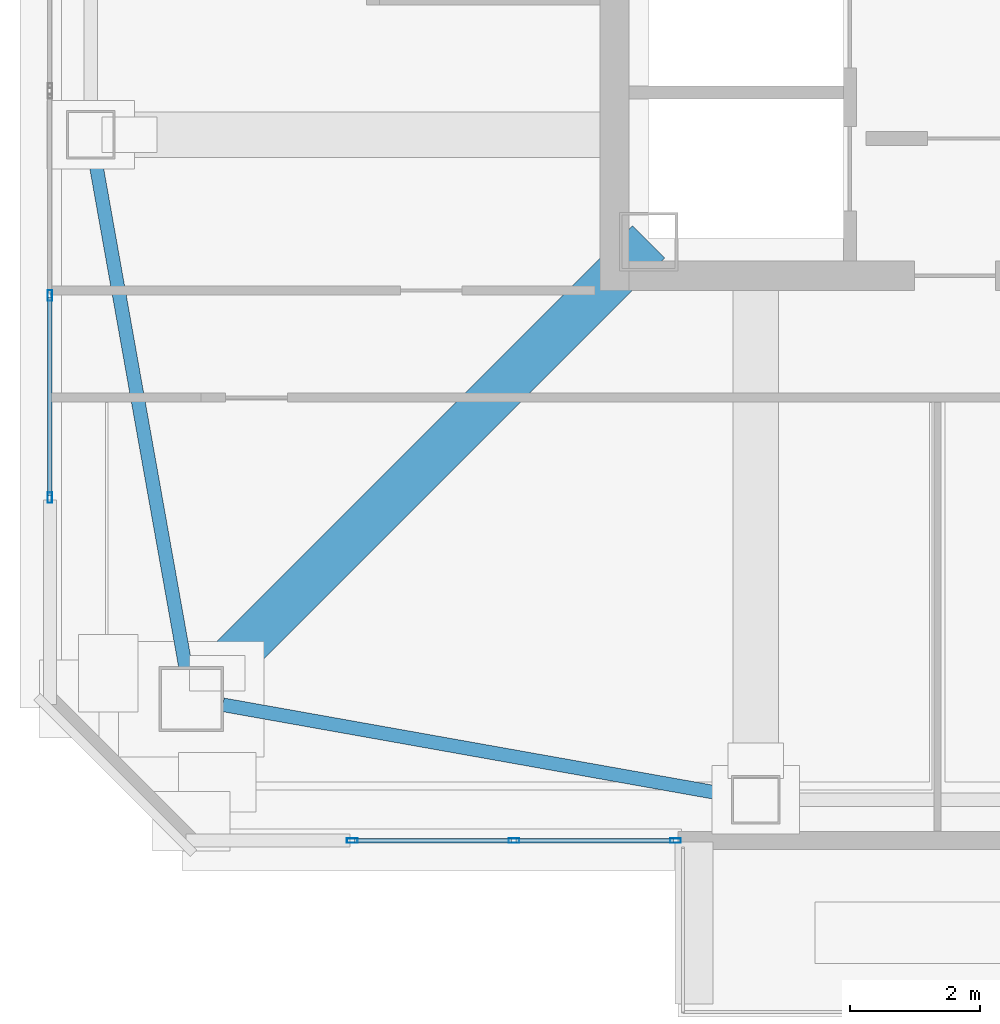
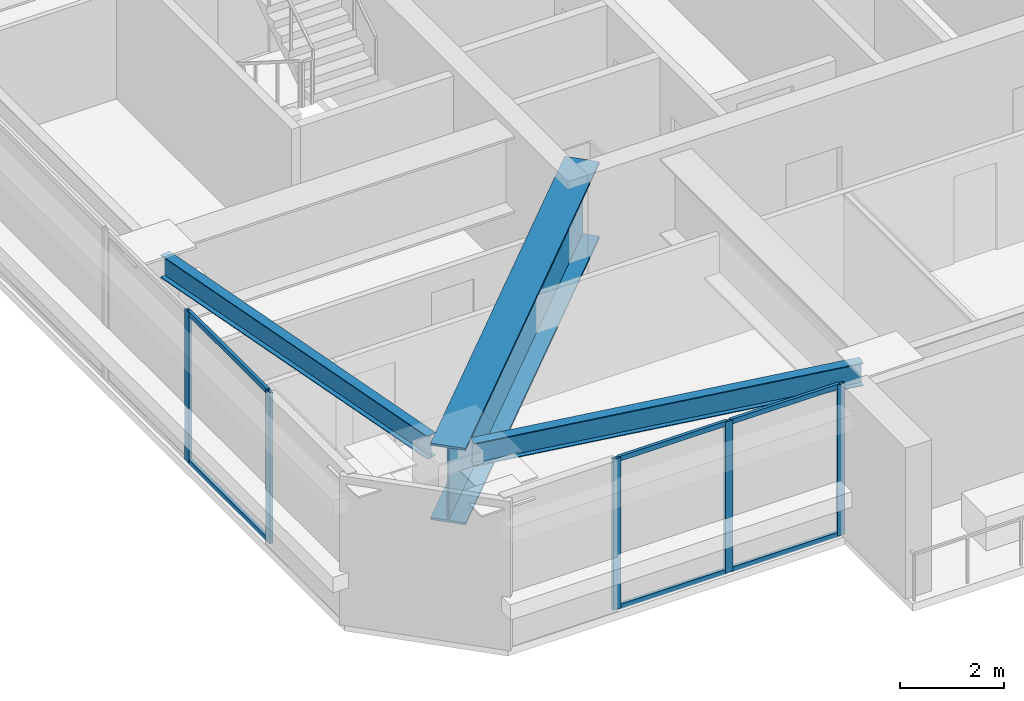
# One storey, part 3 of 40: 11 members, 3 beams, 2 elements without a shape of their own.
"""IFC4 building model written with IfcOpenShell, lengths in metres."""

from ifc_helpers import new_model, si_unit, direction, frame, origin, origin_2d, place, context, subcontext, project, spatial, hollow_rectangle, i_section, extrude, material, material_profile, profile_set, type_object, element, aggregate, save


model = new_model("IFC4")

# Units and contexts
model_context = context("Model", 3, precision=1e-05, world=origin(), true_north=direction((0.0, 1.0)))
body_context = subcontext(model_context, "Body", "Model", "MODEL_VIEW")
ifc_project = project(units=[si_unit("LENGTHUNIT", "METRE"), si_unit("AREAUNIT", "SQUARE_METRE"), si_unit("VOLUMEUNIT", "CUBIC_METRE"), si_unit("PLANEANGLEUNIT", "RADIAN"), si_unit("MASSUNIT", "GRAM", prefix="KILO")], contexts=[model_context])

# Site, building, storey
site_placement = place(None, origin())
site = spatial("IfcSite", under=ifc_project, at=site_placement, CompositionType="ELEMENT")
building_placement = place(site_placement, origin())
building = spatial("IfcBuilding", under=site, at=building_placement, Name="Tashvorn Skyway Center", CompositionType="ELEMENT")
storey_placement = place(building_placement, frame((0.0, 0.0, 229.050048828125)))
storey = spatial("IfcBuildingStorey", under=building, at=storey_placement, Name="L62", CompositionType="ELEMENT", Elevation=229.050048828125)

# Beams
ifc_material_1 = material(Name="Steel ASTM A572 Grade 50", Category="steel")
ifc_material_profile_1 = material_profile(ifc_material_1, i_section(OverallWidth=0.699951171875, OverallDepth=1.800048828125, WebThickness=0.031982421875, FlangeThickness=0.050048828125, at=origin_2d()), Name="PG1800x700")
ifc_profile_set_1 = profile_set([ifc_material_profile_1], Name="Steel ASTM A572 Grade 50")
beam_type_1 = type_object("IfcBeamType", Name="BM-BEAM-PG1800x700", PredefinedType="BEAM", material=ifc_profile_set_1)
beam_placement = place(storey_placement, frame((27.89990234375, 17.89990234375, 2.469970703125), z_axis=(0.707106781187, 0.707106781187, 0.0), x_axis=(-0.707106781187, 0.707106781187, 0.0)))
element("IfcBeam", 1, at=beam_placement, inside=storey, type_object=beam_type_1, Name="Tower 1 L62 Setback Transfer Girder MC-SW", PredefinedType="BEAM", context=body_context, shape_type="SweptSolid", body=[
    extrude(i_section(OverallWidth=0.699951171875, OverallDepth=1.800048828125, WebThickness=0.031982421875, FlangeThickness=0.050048828125, at=origin_2d()), origin(), (0.0, 0.0, 1.0), 9.97021484375),
])
ifc_material_2 = material(Name="Steel ASTM A992 Grade 50", Category="steel")
ifc_material_profile_2 = material_profile(ifc_material_2, i_section(OverallWidth=0.2109375, OverallDepth=0.5390625, WebThickness=0.01171875, FlangeThickness=0.018798828125, at=origin_2d()), Name="W21X73")
ifc_profile_set_2 = profile_set([ifc_material_profile_2], Name="Steel ASTM A992 Grade 50")
beam_type_2 = type_object("IfcBeamType", Name="BM-SPANDREL-W21X73", PredefinedType="SPANDREL", material=ifc_profile_set_2)
for number, where, z_axis, x_axis, name in (
    (2, (28.38720703125, 17.813232421875, 3.100341796875), (0.984494883191, -0.17541329759, 0.0), (0.17541329759, 0.984494883191, 0.0), "Tower 1 L62 Spandrel Beam 01"),
    (3, (26.414794921875, 26.23583984375, 3.100341796875), (0.17541329759, -0.984494883191, 0.0), (0.984494883191, 0.17541329759, 0.0), "Tower 1 L62 Spandrel Beam 12"),
):
    element("IfcBeam", number, at=place(storey_placement, frame(where, z_axis=z_axis, x_axis=x_axis)), inside=storey, type_object=beam_type_2, Name=name, PredefinedType="SPANDREL", context=body_context, shape_type="SweptSolid", body=[
        extrude(i_section(OverallWidth=0.2109375, OverallDepth=0.5390625, WebThickness=0.01171875, FlangeThickness=0.018798828125, at=origin_2d()), origin(), (0.0, 0.0, 1.0), 7.97216796875),
    ])

# Curtain wall, members
ifc_material_3 = material(Name="Thermally broken bronze-anodized aluminium 6063-T6", Category="aluminium")
curtain_wall_type = type_object("IfcCurtainWallType", Name="CW-CW-Z5", PredefinedType="NOTDEFINED", material=ifc_material_3)
curtain_wall_1_placement = place(storey_placement, origin())
curtain_wall_1 = element("IfcCurtainWall", 4, at=curtain_wall_1_placement, inside=storey, type_object=curtain_wall_type, Name="Tower 1 L62 South Curtain Wall R Glazing Group 1", PredefinedType="NOTDEFINED")
ifc_material_profile_3 = material_profile(ifc_material_3, hollow_rectangle(XDim=0.070068359375, YDim=0.1650390625, WallThickness=0.00390625, at=origin_2d()), Name="ALU-MULL-70x165")
ifc_profile_set_3 = profile_set([ifc_material_profile_3], Name="Thermally broken bronze-anodized aluminium 6063-T6")
member_type_1 = type_object("IfcMemberType", Name="CWM-CW-Z5", PredefinedType="MULLION", material=ifc_profile_set_3)
member_1_placement = place(storey_placement, frame((35.364990234375, 15.719970703125, 0.0), z_axis=(0.0, 0.0, 1.0), x_axis=(0.0, -1.0, 0.0)))
member_1 = element("IfcMember", 5, at=member_1_placement, type_object=member_type_1, Name="CW-Z5 mullion 1", PredefinedType="MULLION", context=body_context, shape_type="SweptSolid", body=[
    extrude(hollow_rectangle(XDim=0.070068359375, YDim=0.1650390625, WallThickness=0.00390625, at=origin_2d()), origin(), (0.0, 0.0, 1.0), 3.550048828125),
])
member_2_placement = place(storey_placement, frame((32.873291015625, 15.719970703125, 0.0), z_axis=(0.0, 0.0, 1.0), x_axis=(0.0, -1.0, 0.0)))
member_2 = element("IfcMember", 6, at=member_2_placement, type_object=member_type_1, Name="CW-Z5 mullion 2", PredefinedType="MULLION", context=body_context, shape_type="SweptSolid", body=[
    extrude(hollow_rectangle(XDim=0.070068359375, YDim=0.1650390625, WallThickness=0.00390625, at=origin_2d()), origin(), (0.0, 0.0, 1.0), 3.550048828125),
])
member_3_placement = place(storey_placement, frame((30.381591796875, 15.719970703125, 0.0), z_axis=(0.0, 0.0, 1.0), x_axis=(0.0, -1.0, 0.0)))
member_3 = element("IfcMember", 7, at=member_3_placement, type_object=member_type_1, Name="CW-Z5 mullion 3", PredefinedType="MULLION", context=body_context, shape_type="SweptSolid", body=[
    extrude(hollow_rectangle(XDim=0.070068359375, YDim=0.1650390625, WallThickness=0.00390625, at=origin_2d()), origin(), (0.0, 0.0, 1.0), 3.550048828125),
])

curtain_wall_2_placement = place(storey_placement, origin())
curtain_wall_2 = element("IfcCurtainWall", 8, at=curtain_wall_2_placement, inside=storey, type_object=curtain_wall_type, Name="Tower 1 L62 West Unitised Curtain Wall Glazing Group 1", PredefinedType="NOTDEFINED")
member_4_placement = place(storey_placement, frame((25.719970703125, 21.006103515625, 0.0), z_axis=(0.0, 0.0, 1.0), x_axis=(-1.0, 0.0, 0.0)))
member_4 = element("IfcMember", 9, at=member_4_placement, type_object=member_type_1, Name="CW-Z5 mullion 1", PredefinedType="MULLION", context=body_context, shape_type="SweptSolid", body=[
    extrude(hollow_rectangle(XDim=0.070068359375, YDim=0.1650390625, WallThickness=0.00390625, at=origin_2d()), origin(), (0.0, 0.0, 1.0), 3.550048828125),
])
member_5_placement = place(storey_placement, frame((25.719970703125, 24.122314453125, 0.0), z_axis=(0.0, 0.0, 1.0), x_axis=(-1.0, 0.0, 0.0)))
member_5 = element("IfcMember", 10, at=member_5_placement, type_object=member_type_1, Name="CW-Z5 mullion 2", PredefinedType="MULLION", context=body_context, shape_type="SweptSolid", body=[
    extrude(hollow_rectangle(XDim=0.070068359375, YDim=0.1650390625, WallThickness=0.00390625, at=origin_2d()), origin(), (0.0, 0.0, 1.0), 3.550048828125),
])

# Member
ifc_material_profile_4 = material_profile(ifc_material_3, hollow_rectangle(XDim=0.070068359375, YDim=0.114990234375, WallThickness=0.00390625, at=origin_2d()), Name="ALU-TRAN-70x115")
ifc_profile_set_4 = profile_set([ifc_material_profile_4], Name="Thermally broken bronze-anodized aluminium 6063-T6")
member_type_2 = type_object("IfcMemberType", Name="CWT-CW-Z5", PredefinedType="USERDEFINED", material=ifc_profile_set_4)
member_6_placement = place(storey_placement, frame((35.330078125, 15.719970703125, 0.034912109375), z_axis=(-1.0, 0.0, 0.0), x_axis=(0.0, -1.0, 0.0)))
member_6 = element("IfcMember", 11, at=member_6_placement, type_object=member_type_2, Name="CW-Z5 transom 1.1", ObjectType="TRANSOM", PredefinedType="USERDEFINED", context=body_context, shape_type="SweptSolid", body=[
    extrude(hollow_rectangle(XDim=0.070068359375, YDim=0.114990234375, WallThickness=0.00390625, at=origin_2d()), origin(), (0.0, 0.0, 1.0), 2.421630859375),
])

member_7_placement = place(storey_placement, frame((35.330078125, 15.719970703125, 3.514892578125), z_axis=(-1.0, 0.0, 0.0), x_axis=(0.0, -1.0, 0.0)))
member_7 = element("IfcMember", 12, at=member_7_placement, type_object=member_type_2, Name="CW-Z5 transom 1.2", ObjectType="TRANSOM", PredefinedType="USERDEFINED", context=body_context, shape_type="SweptSolid", body=[
    extrude(hollow_rectangle(XDim=0.070068359375, YDim=0.114990234375, WallThickness=0.00390625, at=origin_2d()), origin(), (0.0, 0.0, 1.0), 2.421630859375),
])

member_8_placement = place(storey_placement, frame((32.83837890625, 15.719970703125, 0.034912109375), z_axis=(-1.0, 0.0, 0.0), x_axis=(0.0, -1.0, 0.0)))
member_8 = element("IfcMember", 13, at=member_8_placement, type_object=member_type_2, Name="CW-Z5 transom 2.1", ObjectType="TRANSOM", PredefinedType="USERDEFINED", context=body_context, shape_type="SweptSolid", body=[
    extrude(hollow_rectangle(XDim=0.070068359375, YDim=0.114990234375, WallThickness=0.00390625, at=origin_2d()), origin(), (0.0, 0.0, 1.0), 2.421630859375),
])

member_9_placement = place(storey_placement, frame((32.83837890625, 15.719970703125, 3.514892578125), z_axis=(-1.0, 0.0, 0.0), x_axis=(0.0, -1.0, 0.0)))
member_9 = element("IfcMember", 14, at=member_9_placement, type_object=member_type_2, Name="CW-Z5 transom 2.2", ObjectType="TRANSOM", PredefinedType="USERDEFINED", context=body_context, shape_type="SweptSolid", body=[
    extrude(hollow_rectangle(XDim=0.070068359375, YDim=0.114990234375, WallThickness=0.00390625, at=origin_2d()), origin(), (0.0, 0.0, 1.0), 2.421630859375),
])

aggregate(curtain_wall_1, [member_1, member_2, member_3, member_6, member_7, member_8, member_9])

member_10_placement = place(storey_placement, frame((25.719970703125, 21.041015625, 0.034912109375), z_axis=(0.0, 1.0, 0.0), x_axis=(-1.0, 0.0, 0.0)))
member_10 = element("IfcMember", 15, at=member_10_placement, type_object=member_type_2, Name="CW-Z5 transom 1.1", ObjectType="TRANSOM", PredefinedType="USERDEFINED", context=body_context, shape_type="SweptSolid", body=[
    extrude(hollow_rectangle(XDim=0.070068359375, YDim=0.114990234375, WallThickness=0.00390625, at=origin_2d()), origin(), (0.0, 0.0, 1.0), 3.046142578125),
])

member_11_placement = place(storey_placement, frame((25.719970703125, 21.041015625, 3.514892578125), z_axis=(0.0, 1.0, 0.0), x_axis=(-1.0, 0.0, 0.0)))
member_11 = element("IfcMember", 16, at=member_11_placement, type_object=member_type_2, Name="CW-Z5 transom 1.2", ObjectType="TRANSOM", PredefinedType="USERDEFINED", context=body_context, shape_type="SweptSolid", body=[
    extrude(hollow_rectangle(XDim=0.070068359375, YDim=0.114990234375, WallThickness=0.00390625, at=origin_2d()), origin(), (0.0, 0.0, 1.0), 3.046142578125),
])

aggregate(curtain_wall_2, [member_4, member_5, member_10, member_11])

save(model, "model.ifc")
